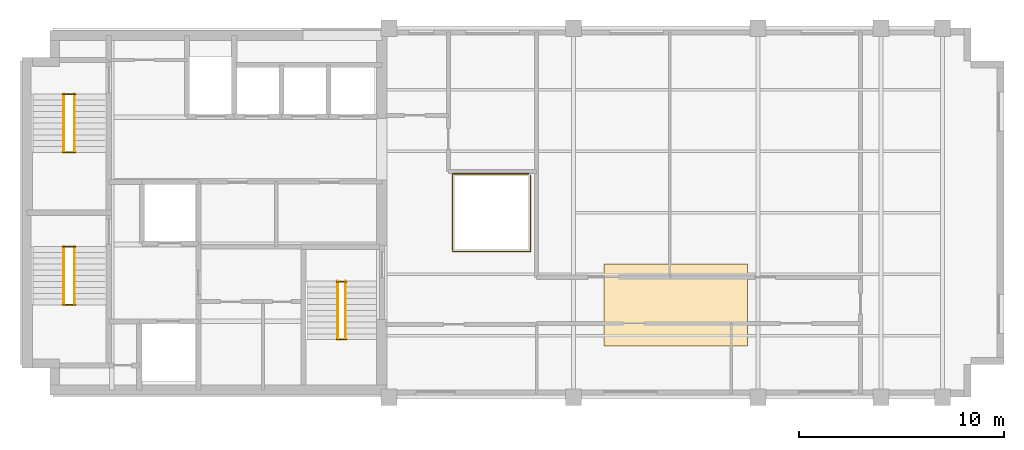
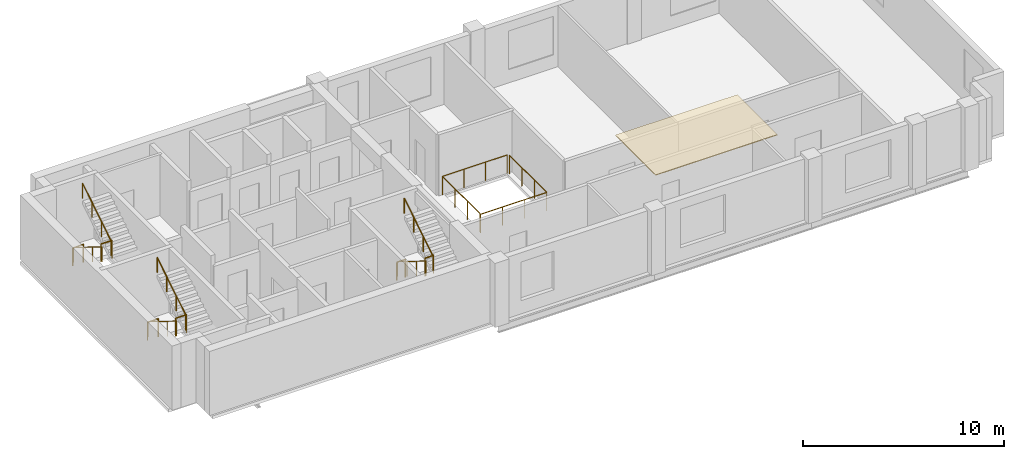
# One storey, part 5 of 5: 14 railings, 1 covering.
"""IFC4 building model written with IfcOpenShell, lengths in metres."""

from ifc_helpers import new_model, si_unit, direction, frame, origin, origin_2d, place, context, subcontext, project, spatial, polyline, circle, outline, extrude, material, layer, layer_set, type_object, element, save


model = new_model("IFC4")

# Units and contexts
model_context = context("Model", 3, precision=1e-05, world=origin(), true_north=direction((0.0, 1.0)))
body_context = subcontext(model_context, "Body", "Model", "MODEL_VIEW")
ifc_project = project(units=[si_unit("LENGTHUNIT", "METRE"), si_unit("AREAUNIT", "SQUARE_METRE"), si_unit("VOLUMEUNIT", "CUBIC_METRE"), si_unit("PLANEANGLEUNIT", "RADIAN"), si_unit("MASSUNIT", "GRAM", prefix="KILO")], contexts=[model_context])

# Site, building, storey
site_placement = place(None, origin())
site = spatial("IfcSite", under=ifc_project, at=site_placement, CompositionType="ELEMENT")
building_placement = place(site_placement, origin())
building = spatial("IfcBuilding", under=site, at=building_placement, Name="Mawjdan Bourse Tower", CompositionType="ELEMENT")
storey_placement = place(building_placement, frame((0.0, 0.0, 266.39990234375)))
storey = spatial("IfcBuildingStorey", under=building, at=storey_placement, Name="L65", CompositionType="ELEMENT", Elevation=266.39990234375)

# Covering
ifc_material_1 = material(Name="Perforated Mineral-Fibre Acoustic Ceiling")
ifc_layer = layer(ifc_material_1, 0.044921875)
ifc_layer_set = layer_set([ifc_layer], Name="Perforated Mineral-Fibre Acoustic Ceiling")
covering_type = type_object("IfcCoveringType", Name="COV-CLG-AC", PredefinedType="CEILING", material=ifc_layer_set)
covering_placement = place(storey_placement, frame((0.0, 0.0, 3.670166015625)))
element("IfcCovering", 1, at=covering_placement, inside=storey, type_object=covering_type, Name="L65 Suspended Acoustic Ceiling", PredefinedType="CEILING", context=body_context, shape_type="SweptSolid", body=[
    extrude(outline(polyline([(34.5, 5.5), (41.5, 5.5), (41.5, 9.5), (34.5, 9.5), (34.5, 5.5)])), origin(), (0.0, 0.0, 1.0), 0.044921875),
])

# Railings
ifc_material_2 = material(Name="Stainless Steel and Laminated Glass", Category="steel")
railing_type_1 = type_object("IfcRailingType", Name="RLG-BAL-1150", PredefinedType="BALUSTRADE", material=ifc_material_2)
railing_1_placement = place(storey_placement, frame((27.10009765625, 10.10009765625, 0.0)))
element("IfcRailing", 2, at=railing_1_placement, inside=storey, type_object=railing_type_1, Name="L65 Summit Atrium Lightwell Balustrade SE", PredefinedType="BALUSTRADE", context=body_context, shape_type="SweptSolid", body=[
    extrude(circle(Radius=0.02685546875, at=origin_2d()), frame((0.0, 0.0, 1.123046875), z_axis=(1.0, 0.0, 0.0), x_axis=(0.0, 1.0, 0.0)), (0.0, 0.0, 1.0), 3.7998046875),
    extrude(circle(Radius=0.02685546875, at=origin_2d()), frame((3.7998046875, 0.0, 1.123046875), z_axis=(0.0, 1.0, 0.0), x_axis=(-1.0, 0.0, 0.0)), (0.0, 0.0, 1.0), 3.719970703125),
    extrude(circle(Radius=0.02294921875, at=origin_2d()), origin(), (0.0, 0.0, 1.0), 1.095947265625),
    extrude(circle(Radius=0.02294921875, at=origin_2d()), frame((1.2666015625, 0.0, 0.0)), (0.0, 0.0, 1.0), 1.095947265625),
    extrude(circle(Radius=0.02294921875, at=origin_2d()), frame((2.533203125, 0.0, 0.0)), (0.0, 0.0, 1.0), 1.095947265625),
    extrude(circle(Radius=0.02294921875, at=origin_2d()), frame((3.7998046875, 0.0, 0.0)), (0.0, 0.0, 1.0), 1.095947265625),
    extrude(circle(Radius=0.02294921875, at=origin_2d()), frame((3.7998046875, 1.239990234375, 0.0)), (0.0, 0.0, 1.0), 1.095947265625),
    extrude(circle(Radius=0.02294921875, at=origin_2d()), frame((3.7998046875, 2.47998046875, 0.0)), (0.0, 0.0, 1.0), 1.095947265625),
    extrude(circle(Radius=0.02294921875, at=origin_2d()), frame((3.7998046875, 3.719970703125, 0.0)), (0.0, 0.0, 1.0), 1.095947265625),
])
railing_2_placement = place(storey_placement, frame((30.820068359375, 13.89990234375, 0.0)))
element("IfcRailing", 3, at=railing_2_placement, inside=storey, type_object=railing_type_1, Name="L65 Summit Atrium Lightwell Balustrade NW", PredefinedType="BALUSTRADE", context=body_context, shape_type="SweptSolid", body=[
    extrude(circle(Radius=0.02685546875, at=origin_2d()), frame((0.0, 0.0, 1.123046875), z_axis=(-1.0, 0.0, 0.0), x_axis=(0.0, -1.0, 0.0)), (0.0, 0.0, 1.0), 3.719970703125),
    extrude(circle(Radius=0.02685546875, at=origin_2d()), frame((-3.719970703125, 0.0, 1.123046875), z_axis=(0.0, -1.0, 0.0), x_axis=(1.0, 0.0, 0.0)), (0.0, 0.0, 1.0), 3.719970703125),
    extrude(circle(Radius=0.02294921875, at=origin_2d()), origin(), (0.0, 0.0, 1.0), 1.095947265625),
    extrude(circle(Radius=0.02294921875, at=origin_2d()), frame((-1.239990234375, 0.0, 0.0)), (0.0, 0.0, 1.0), 1.095947265625),
    extrude(circle(Radius=0.02294921875, at=origin_2d()), frame((-2.47998046875, 0.0, 0.0)), (0.0, 0.0, 1.0), 1.095947265625),
    extrude(circle(Radius=0.02294921875, at=origin_2d()), frame((-3.719970703125, 0.0, 0.0)), (0.0, 0.0, 1.0), 1.095947265625),
    extrude(circle(Radius=0.02294921875, at=origin_2d()), frame((-3.719970703125, -1.239990234375, 0.0)), (0.0, 0.0, 1.0), 1.095947265625),
    extrude(circle(Radius=0.02294921875, at=origin_2d()), frame((-3.719970703125, -2.47998046875, 0.0)), (0.0, 0.0, 1.0), 1.095947265625),
    extrude(circle(Radius=0.02294921875, at=origin_2d()), frame((-3.719970703125, -3.719970703125, 0.0)), (0.0, 0.0, 1.0), 1.095947265625),
])
ifc_material_3 = material(Name="Structural Steel S355", Category="steel")
railing_type_2 = type_object("IfcRailingType", Name="RLG-GRD-1100", PredefinedType="GUARDRAIL", material=ifc_material_3)
for number, where, name in (
    (4, (8.090087890625, 7.52001953125, 1.9501953125), "L65 ST1 Landing Guardrail GL-MID"),
    (5, (8.090087890625, 10.330078125, 0.0), "L65 ST1 Landing Guardrail GL-BOT"),
    (6, (8.090087890625, 14.9599609375, 1.9501953125), "L65 ST2 Landing Guardrail GL-MID"),
    (7, (8.090087890625, 17.77001953125, 0.0), "L65 ST2 Landing Guardrail GL-BOT"),
):
    element("IfcRailing", number, at=place(storey_placement, frame(where)), inside=storey, type_object=railing_type_2, Name=name, PredefinedType="GUARDRAIL", context=body_context, shape_type="SweptSolid", body=[
        extrude(circle(Radius=0.02490234375, at=origin_2d()), frame((0.0, 0.0, 1.0751953125), z_axis=(1.0, 0.0, 0.0), x_axis=(0.0, 1.0, 0.0)), (0.0, 0.0, 1.0), 0.619873046875),
        extrude(circle(Radius=0.02099609375, at=origin_2d()), origin(), (0.0, 0.0, 1.0), 1.050048828125),
        extrude(circle(Radius=0.02099609375, at=origin_2d()), frame((0.619873046875, 0.0, 0.0)), (0.0, 0.0, 1.0), 1.050048828125),
    ])
for number, where, name in (
    (8, (21.43994140625, 5.830078125, 1.9501953125), "L65 ST7 Landing Guardrail GL-MID"),
    (9, (21.43994140625, 8.639892578125, 0.0), "L65 ST7 Landing Guardrail GL-BOT"),
):
    element("IfcRailing", number, at=place(storey_placement, frame(where)), inside=storey, type_object=railing_type_2, Name=name, PredefinedType="GUARDRAIL", context=body_context, shape_type="SweptSolid", body=[
        extrude(circle(Radius=0.02490234375, at=origin_2d()), frame((0.0, 0.0, 1.0751953125), z_axis=(1.0, 0.0, 0.0), x_axis=(0.0, 1.0, 0.0)), (0.0, 0.0, 1.0), 0.489990234375),
        extrude(circle(Radius=0.02099609375, at=origin_2d()), origin(), (0.0, 0.0, 1.0), 1.050048828125),
        extrude(circle(Radius=0.02099609375, at=origin_2d()), frame((0.489990234375, 0.0, 0.0)), (0.0, 0.0, 1.0), 1.050048828125),
    ])
ifc_material_4 = material(Name="Brushed Stainless Steel", Category="steel")
railing_type_3 = type_object("IfcRailingType", Name="RLG-HND-920", PredefinedType="HANDRAIL", material=ifc_material_4)
railing_3_placement = place(storey_placement, frame((8.139892578125, 10.35009765625, 0.177490234375)))
element("IfcRailing", 10, at=railing_3_placement, inside=storey, type_object=railing_type_3, Name="L65 ST1 Flight Handrail HR1", PredefinedType="HANDRAIL", context=body_context, shape_type="SweptSolid", body=[
    extrude(circle(Radius=0.0224609375, at=origin_2d()), frame((0.0, 0.0, 0.8974609375), z_axis=(0.0, -0.849148672731, 0.528153890072), x_axis=(1.0, 0.0, 0.0)), (0.0, 0.0, 1.0), 3.3564453125),
    extrude(circle(Radius=0.01904296875, at=origin_2d()), origin(), (0.0, 0.0, 1.0), 0.875),
    extrude(circle(Radius=0.01904296875, at=origin_2d()), frame((0.0, -0.949951171875, 0.5908203125)), (0.0, 0.0, 1.0), 0.875),
    extrude(circle(Radius=0.01904296875, at=origin_2d()), frame((0.0, -1.900146484375, 1.181884765625)), (0.0, 0.0, 1.0), 0.875),
    extrude(circle(Radius=0.01904296875, at=origin_2d()), frame((0.0, -2.85009765625, 1.772705078125)), (0.0, 0.0, 1.0), 0.875),
])
railing_4_placement = place(storey_placement, frame((8.659912109375, 7.5, 2.12744140625)))
element("IfcRailing", 11, at=railing_4_placement, inside=storey, type_object=railing_type_3, Name="L65 ST1 Flight Handrail HR2", PredefinedType="HANDRAIL", context=body_context, shape_type="SweptSolid", body=[
    extrude(circle(Radius=0.0224609375, at=origin_2d()), frame((0.0, 0.0, 0.8974609375), z_axis=(0.0, 0.849148672731, 0.528153890072), x_axis=(-1.0, 0.0, 0.0)), (0.0, 0.0, 1.0), 3.3564453125),
    extrude(circle(Radius=0.01904296875, at=origin_2d()), origin(), (0.0, 0.0, 1.0), 0.875),
    extrude(circle(Radius=0.01904296875, at=origin_2d()), frame((0.0, 0.949951171875, 0.5908203125)), (0.0, 0.0, 1.0), 0.875),
    extrude(circle(Radius=0.01904296875, at=origin_2d()), frame((0.0, 1.900146484375, 1.181884765625)), (0.0, 0.0, 1.0), 0.875),
    extrude(circle(Radius=0.01904296875, at=origin_2d()), frame((0.0, 2.85009765625, 1.772705078125)), (0.0, 0.0, 1.0), 0.875),
])
railing_5_placement = place(storey_placement, frame((8.139892578125, 17.7900390625, 0.177490234375)))
element("IfcRailing", 12, at=railing_5_placement, inside=storey, type_object=railing_type_3, Name="L65 ST2 Flight Handrail HR1", PredefinedType="HANDRAIL", context=body_context, shape_type="SweptSolid", body=[
    extrude(circle(Radius=0.0224609375, at=origin_2d()), frame((0.0, 0.0, 0.8974609375), z_axis=(0.0, -0.849148672731, 0.528153890072), x_axis=(1.0, 0.0, 0.0)), (0.0, 0.0, 1.0), 3.3564453125),
    extrude(circle(Radius=0.01904296875, at=origin_2d()), origin(), (0.0, 0.0, 1.0), 0.875),
    extrude(circle(Radius=0.01904296875, at=origin_2d()), frame((0.0, -0.949951171875, 0.5908203125)), (0.0, 0.0, 1.0), 0.875),
    extrude(circle(Radius=0.01904296875, at=origin_2d()), frame((0.0, -1.900146484375, 1.181884765625)), (0.0, 0.0, 1.0), 0.875),
    extrude(circle(Radius=0.01904296875, at=origin_2d()), frame((0.0, -2.85009765625, 1.772705078125)), (0.0, 0.0, 1.0), 0.875),
])
railing_6_placement = place(storey_placement, frame((8.659912109375, 14.93994140625, 2.12744140625)))
element("IfcRailing", 13, at=railing_6_placement, inside=storey, type_object=railing_type_3, Name="L65 ST2 Flight Handrail HR2", PredefinedType="HANDRAIL", context=body_context, shape_type="SweptSolid", body=[
    extrude(circle(Radius=0.0224609375, at=origin_2d()), frame((0.0, 0.0, 0.8974609375), z_axis=(0.0, 0.849148672731, 0.528153890072), x_axis=(-1.0, 0.0, 0.0)), (0.0, 0.0, 1.0), 3.3564453125),
    extrude(circle(Radius=0.01904296875, at=origin_2d()), origin(), (0.0, 0.0, 1.0), 0.875),
    extrude(circle(Radius=0.01904296875, at=origin_2d()), frame((0.0, 0.949951171875, 0.5908203125)), (0.0, 0.0, 1.0), 0.875),
    extrude(circle(Radius=0.01904296875, at=origin_2d()), frame((0.0, 1.900146484375, 1.181884765625)), (0.0, 0.0, 1.0), 0.875),
    extrude(circle(Radius=0.01904296875, at=origin_2d()), frame((0.0, 2.85009765625, 1.772705078125)), (0.0, 0.0, 1.0), 0.875),
])
railing_7_placement = place(storey_placement, frame((21.489990234375, 8.659912109375, 0.177490234375)))
element("IfcRailing", 14, at=railing_7_placement, inside=storey, type_object=railing_type_3, Name="L65 ST7 Flight Handrail HR1", PredefinedType="HANDRAIL", context=body_context, shape_type="SweptSolid", body=[
    extrude(circle(Radius=0.0224609375, at=origin_2d()), frame((0.0, 0.0, 0.8974609375), z_axis=(0.0, -0.849128380713, 0.528186513523), x_axis=(1.0, 0.0, 0.0)), (0.0, 0.0, 1.0), 3.356201171875),
    extrude(circle(Radius=0.01904296875, at=origin_2d()), origin(), (0.0, 0.0, 1.0), 0.875),
    extrude(circle(Radius=0.01904296875, at=origin_2d()), frame((0.0, -0.949951171875, 0.5908203125)), (0.0, 0.0, 1.0), 0.875),
    extrude(circle(Radius=0.01904296875, at=origin_2d()), frame((0.0, -1.89990234375, 1.181884765625)), (0.0, 0.0, 1.0), 0.875),
    extrude(circle(Radius=0.01904296875, at=origin_2d()), frame((0.0, -2.849853515625, 1.772705078125)), (0.0, 0.0, 1.0), 0.875),
])
railing_8_placement = place(storey_placement, frame((21.8798828125, 5.81005859375, 2.12744140625)))
element("IfcRailing", 15, at=railing_8_placement, inside=storey, type_object=railing_type_3, Name="L65 ST7 Flight Handrail HR2", PredefinedType="HANDRAIL", context=body_context, shape_type="SweptSolid", body=[
    extrude(circle(Radius=0.0224609375, at=origin_2d()), frame((0.0, 0.0, 0.8974609375), z_axis=(0.0, 0.849128380713, 0.528186513523), x_axis=(-1.0, 0.0, 0.0)), (0.0, 0.0, 1.0), 3.356201171875),
    extrude(circle(Radius=0.01904296875, at=origin_2d()), origin(), (0.0, 0.0, 1.0), 0.875),
    extrude(circle(Radius=0.01904296875, at=origin_2d()), frame((0.0, 0.949951171875, 0.5908203125)), (0.0, 0.0, 1.0), 0.875),
    extrude(circle(Radius=0.01904296875, at=origin_2d()), frame((0.0, 1.89990234375, 1.181884765625)), (0.0, 0.0, 1.0), 0.875),
    extrude(circle(Radius=0.01904296875, at=origin_2d()), frame((0.0, 2.849853515625, 1.772705078125)), (0.0, 0.0, 1.0), 0.875),
])

save(model, "model.ifc")
